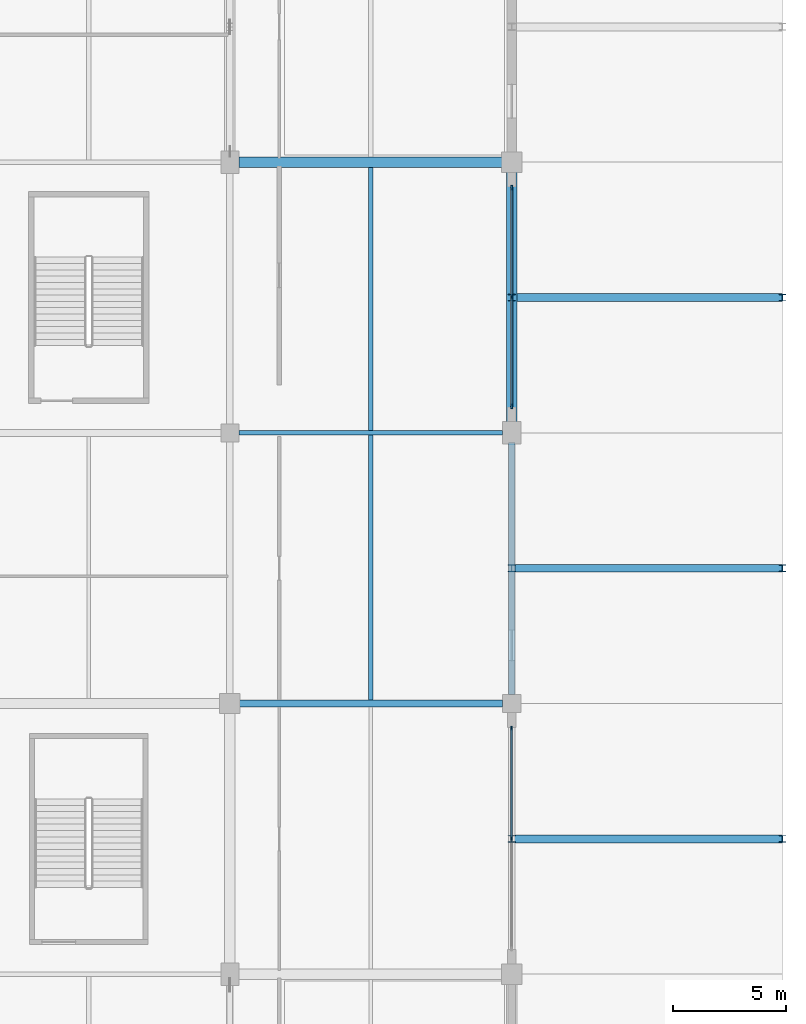
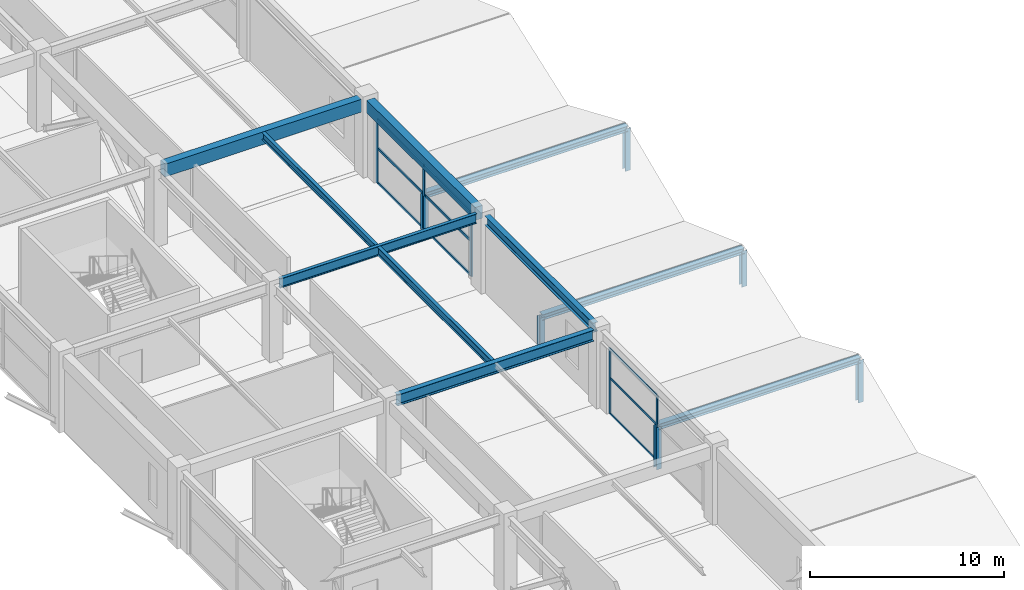
# One storey, part 42 of 116: 23 members, 7 beams, 2 elements without a shape of their own.
"""IFC4 building model written with IfcOpenShell, lengths in metres."""

from ifc_helpers import new_model, si_unit, direction, frame, origin, origin_2d, place, context, subcontext, project, spatial, rectangle, i_section, extrude, material, layer, layer_set, material_profile, profile_set, type_object, element, aggregate, save


model = new_model("IFC4")

# Units and contexts
model_context = context("Model", 3, precision=1e-05, world=origin(), true_north=direction((0.0, 1.0)))
body_context = subcontext(model_context, "Body", "Model", "MODEL_VIEW")
ifc_project = project(units=[si_unit("LENGTHUNIT", "METRE"), si_unit("AREAUNIT", "SQUARE_METRE"), si_unit("VOLUMEUNIT", "CUBIC_METRE"), si_unit("PLANEANGLEUNIT", "RADIAN"), si_unit("MASSUNIT", "GRAM", prefix="KILO")], contexts=[model_context])

# Site, building, storey
site_placement = place(None, origin())
site = spatial("IfcSite", under=ifc_project, at=site_placement, CompositionType="ELEMENT")
building_placement = place(site_placement, origin())
building = spatial("IfcBuilding", under=site, at=building_placement, Name="Kazenohara Klinker Stadium", CompositionType="ELEMENT")
storey_placement = place(building_placement, frame((0.0, 0.0, 10.199951171875)))
storey = spatial("IfcBuildingStorey", under=building, at=storey_placement, Name="L02", CompositionType="ELEMENT", Elevation=10.199951171875)

# Beams
ifc_material_1 = material(Name="Steel S355", Category="steel")
ifc_material_profile_1 = material_profile(ifc_material_1, i_section(OverallWidth=0.199951171875, OverallDepth=0.5, WebThickness=0.010009765625, FlangeThickness=0.01611328125, FilletRadius=0.012939453125, at=origin_2d()), Name="H-500x200x10x16")
ifc_profile_set_1 = profile_set([ifc_material_profile_1], Name="Steel S355")
beam_type_1 = type_object("IfcBeamType", Name="BM-JST01", PredefinedType="JOIST", material=ifc_profile_set_1)
beam_1_placement = place(storey_placement, frame((193.75, 84.14990234375, 4.570068359375), z_axis=(0.0, 1.0, 0.0), x_axis=(-1.0, 0.0, 0.0)))
element("IfcBeam", 1, at=beam_1_placement, inside=storey, type_object=beam_type_1, Name="Secondary floor joist SJ01 L02 16/H", PredefinedType="JOIST", context=body_context, shape_type="SweptSolid", body=[
    extrude(i_section(OverallWidth=0.199951171875, OverallDepth=0.5, WebThickness=0.010009765625, FlangeThickness=0.01611328125, FilletRadius=0.012939453125, at=origin_2d()), origin(), (0.0, 0.0, 1.0), 11.75),
])
ifc_material_profile_2 = material_profile(ifc_material_1, i_section(OverallWidth=0.199951171875, OverallDepth=0.449951171875, WebThickness=0.009033203125, FlangeThickness=0.013916015625, FilletRadius=0.012939453125, at=origin_2d()), Name="H-450x200x9x14")
ifc_profile_set_2 = profile_set([ifc_material_profile_2], Name="Steel S355")
beam_type_2 = type_object("IfcBeamType", Name="BM-JST02", PredefinedType="JOIST", material=ifc_profile_set_2)
beam_2_placement = place(storey_placement, frame((193.75, 96.10009765625, 4.594970703125), z_axis=(0.0, 1.0, 0.0), x_axis=(-1.0, 0.0, 0.0)))
element("IfcBeam", 2, at=beam_2_placement, inside=storey, type_object=beam_type_2, Name="Secondary floor joist SJ02 L02 16/J", PredefinedType="JOIST", context=body_context, shape_type="SweptSolid", body=[
    extrude(i_section(OverallWidth=0.199951171875, OverallDepth=0.449951171875, WebThickness=0.009033203125, FlangeThickness=0.013916015625, FilletRadius=0.012939453125, at=origin_2d()), origin(), (0.0, 0.0, 1.0), 11.6748046875),
])
ifc_material_2 = material(Name="Concrete C40/50", Category="concrete")
ifc_material_profile_3 = material_profile(ifc_material_2, rectangle(XDim=0.449951171875, YDim=0.800048828125, at=origin_2d()), Name="RC-BM-450x800")
ifc_profile_set_3 = profile_set([ifc_material_profile_3], Name="Concrete C40/50")
beam_type_3 = type_object("IfcBeamType", Name="BM-RC03", PredefinedType="BEAM", material=ifc_profile_set_3)
beam_3_placement = place(storey_placement, frame((187.89990234375, 108.0, 4.420166015625), z_axis=(1.0, 0.0, 0.0), x_axis=(0.0, 1.0, 0.0)))
element("IfcBeam", 3, at=beam_3_placement, inside=storey, type_object=beam_type_3, Name="Primary girder BG03 L02 16-17/K", PredefinedType="BEAM", context=body_context, shape_type="SweptSolid", body=[
    extrude(rectangle(XDim=0.449951171875, YDim=0.800048828125, at=origin_2d()), origin(), (0.0, 0.0, 1.0), 11.68017578125),
])
beam_4_placement = place(storey_placement, frame((200.0, 96.419921875, 4.420166015625), z_axis=(0.0, 1.0, 0.0), x_axis=(-1.0, 0.0, 0.0)))
element("IfcBeam", 4, at=beam_4_placement, inside=storey, type_object=beam_type_3, Name="Primary girder BG03 L02 17/J-K", PredefinedType="BEAM", context=body_context, shape_type="SweptSolid", body=[
    extrude(rectangle(XDim=0.449951171875, YDim=0.800048828125, at=origin_2d()), origin(), (0.0, 0.0, 1.0), 11.16015625),
])
ifc_material_profile_4 = material_profile(ifc_material_1, i_section(OverallWidth=0.300048828125, OverallDepth=0.699951171875, WebThickness=0.012939453125, FlangeThickness=0.02392578125, FilletRadius=0.02197265625, at=origin_2d()), Name="H-700x300x13x24")
ifc_profile_set_4 = profile_set([ifc_material_profile_4], Name="Steel S355")
beam_type_4 = type_object("IfcBeamType", Name="BM-ST03", PredefinedType="BEAM", material=ifc_profile_set_4)
beam_5_placement = place(storey_placement, frame((187.919921875, 84.0, 4.469970703125), z_axis=(1.0, 0.0, 0.0), x_axis=(0.0, 1.0, 0.0)))
element("IfcBeam", 5, at=beam_5_placement, inside=storey, type_object=beam_type_4, Name="Primary girder SB03 L02 16-17/H", PredefinedType="BEAM", context=body_context, shape_type="SweptSolid", body=[
    extrude(i_section(OverallWidth=0.300048828125, OverallDepth=0.699951171875, WebThickness=0.012939453125, FlangeThickness=0.02392578125, FilletRadius=0.02197265625, at=origin_2d()), origin(), (0.0, 0.0, 1.0), 11.68017578125),
])
ifc_material_profile_5 = material_profile(ifc_material_1, i_section(OverallWidth=0.199951171875, OverallDepth=0.60009765625, WebThickness=0.010986328125, FlangeThickness=0.01708984375, FilletRadius=0.012939453125, at=origin_2d()), Name="H-600x200x11x17")
ifc_profile_set_5 = profile_set([ifc_material_profile_5], Name="Steel S355")
beam_type_5 = type_object("IfcBeamType", Name="BM-ST04", PredefinedType="BEAM", material=ifc_profile_set_5)
beam_6_placement = place(storey_placement, frame((187.89990234375, 96.0, 4.52001953125), z_axis=(1.0, 0.0, 0.0), x_axis=(0.0, 1.0, 0.0)))
element("IfcBeam", 6, at=beam_6_placement, inside=storey, type_object=beam_type_5, Name="Primary girder SB04 L02 16-17/J", PredefinedType="BEAM", context=body_context, shape_type="SweptSolid", body=[
    extrude(i_section(OverallWidth=0.199951171875, OverallDepth=0.60009765625, WebThickness=0.010986328125, FlangeThickness=0.01708984375, FilletRadius=0.012939453125, at=origin_2d()), origin(), (0.0, 0.0, 1.0), 11.7001953125),
])
ifc_material_profile_6 = material_profile(ifc_material_1, i_section(OverallWidth=0.300048828125, OverallDepth=0.587890625, WebThickness=0.011962890625, FlangeThickness=0.02001953125, FilletRadius=0.02197265625, at=origin_2d()), Name="H-588x300x12x20")
ifc_profile_set_6 = profile_set([ifc_material_profile_6], Name="Steel S355")
beam_type_6 = type_object("IfcBeamType", Name="BM-ST05", PredefinedType="BEAM", material=ifc_profile_set_6)
beam_7_placement = place(storey_placement, frame((200.0, 84.39990234375, 4.526123046875), z_axis=(0.0, 1.0, 0.0), x_axis=(-1.0, 0.0, 0.0)))
element("IfcBeam", 7, at=beam_7_placement, inside=storey, type_object=beam_type_6, Name="Primary girder SB05 L02 17/H-J", PredefinedType="BEAM", context=body_context, shape_type="SweptSolid", body=[
    extrude(i_section(OverallWidth=0.300048828125, OverallDepth=0.587890625, WebThickness=0.011962890625, FlangeThickness=0.02001953125, FilletRadius=0.02197265625, at=origin_2d()), origin(), (0.0, 0.0, 1.0), 11.18017578125),
])

# Curtain wall, members
ifc_material_3 = material(Name="Anodised aluminium and triple glazing", Category="aluminium")
ifc_layer_1 = layer(ifc_material_3, 0.159912109375)
ifc_layer_set_1 = layer_set([ifc_layer_1], Name="Anodised aluminium and triple glazing")
curtain_wall_type_1 = type_object("IfcCurtainWallType", Name="CW-SYS-01", PredefinedType="USERDEFINED", material=ifc_layer_set_1)
curtain_wall_1_placement = place(storey_placement, origin())
curtain_wall_1 = element("IfcCurtainWall", 8, at=curtain_wall_1_placement, inside=storey, type_object=curtain_wall_type_1, Name="Unitised facade curtain wall CW01 L02 Y16-6", ObjectType="UNITISED CURTAIN WALL", PredefinedType="USERDEFINED")
ifc_material_4 = material(Name="Anodised aluminium 6063-T6", Category="aluminium")
ifc_material_profile_7 = material_profile(ifc_material_4, rectangle(XDim=0.06494140625, YDim=0.179931640625, at=origin_2d()), Name="ALU-MUL-65x180")
ifc_profile_set_7 = profile_set([ifc_material_profile_7], Name="Anodised aluminium 6063-T6")
member_type_1 = type_object("IfcMemberType", Name="CW-MUL-180", PredefinedType="MULLION", material=ifc_profile_set_7)
member_1_placement = place(storey_placement, frame((200.0, 78.02490234375, 0.0), z_axis=(0.0, 0.0, 1.0), x_axis=(-1.0, 0.0, 0.0)))
member_1 = element("IfcMember", 9, at=member_1_placement, type_object=member_type_1, Name="CW01 mullion 2", PredefinedType="MULLION", context=body_context, shape_type="SweptSolid", body=[
    extrude(rectangle(XDim=0.06494140625, YDim=0.179931640625, at=origin_2d()), origin(), (0.0, 0.0, 1.0), 4.1201171875),
])
member_2_placement = place(storey_placement, frame((200.0, 82.91357421875, 0.0), z_axis=(0.0, 0.0, 1.0), x_axis=(-1.0, 0.0, 0.0)))
member_2 = element("IfcMember", 10, at=member_2_placement, type_object=member_type_1, Name="CW01 mullion 3", PredefinedType="MULLION", context=body_context, shape_type="SweptSolid", body=[
    extrude(rectangle(XDim=0.06494140625, YDim=0.179931640625, at=origin_2d()), origin(), (0.0, 0.0, 1.0), 4.1201171875),
])

ifc_layer_2 = layer(ifc_material_3, 0.179931640625)
ifc_layer_set_2 = layer_set([ifc_layer_2], Name="Anodised aluminium and triple glazing")
curtain_wall_type_2 = type_object("IfcCurtainWallType", Name="CW-SYS-02", PredefinedType="USERDEFINED", material=ifc_layer_set_2)
curtain_wall_2_placement = place(storey_placement, origin())
curtain_wall_2 = element("IfcCurtainWall", 11, at=curtain_wall_2_placement, inside=storey, type_object=curtain_wall_type_2, Name="Unitised facade curtain wall CW02 L02 Y16-8", ObjectType="UNITISED CURTAIN WALL", PredefinedType="USERDEFINED")
ifc_material_profile_8 = material_profile(ifc_material_4, rectangle(XDim=0.074951171875, YDim=0.219970703125, at=origin_2d()), Name="ALU-MUL-75x220")
ifc_profile_set_8 = profile_set([ifc_material_profile_8], Name="Anodised aluminium 6063-T6")
member_type_2 = type_object("IfcMemberType", Name="CW-MUL-220", PredefinedType="MULLION", material=ifc_profile_set_8)
member_3_placement = place(storey_placement, frame((200.0, 97.19140625, 0.0), z_axis=(0.0, 0.0, 1.0), x_axis=(-1.0, 0.0, 0.0)))
member_3 = element("IfcMember", 12, at=member_3_placement, type_object=member_type_2, Name="CW02 mullion 1", PredefinedType="MULLION", context=body_context, shape_type="SweptSolid", body=[
    extrude(rectangle(XDim=0.074951171875, YDim=0.219970703125, at=origin_2d()), origin(), (0.0, 0.0, 1.0), 4.02001953125),
])
member_4_placement = place(storey_placement, frame((200.0, 102.02490234375, 0.0), z_axis=(0.0, 0.0, 1.0), x_axis=(-1.0, 0.0, 0.0)))
member_4 = element("IfcMember", 13, at=member_4_placement, type_object=member_type_2, Name="CW02 mullion 2", PredefinedType="MULLION", context=body_context, shape_type="SweptSolid", body=[
    extrude(rectangle(XDim=0.074951171875, YDim=0.219970703125, at=origin_2d()), origin(), (0.0, 0.0, 1.0), 4.02001953125),
])
member_5_placement = place(storey_placement, frame((200.0, 106.8583984375, 0.0), z_axis=(0.0, 0.0, 1.0), x_axis=(-1.0, 0.0, 0.0)))
member_5 = element("IfcMember", 14, at=member_5_placement, type_object=member_type_2, Name="CW02 mullion 3", PredefinedType="MULLION", context=body_context, shape_type="SweptSolid", body=[
    extrude(rectangle(XDim=0.074951171875, YDim=0.219970703125, at=origin_2d()), origin(), (0.0, 0.0, 1.0), 4.02001953125),
])

# Member
ifc_material_profile_9 = material_profile(ifc_material_4, rectangle(XDim=0.06494140625, YDim=0.139892578125, at=origin_2d()), Name="ALU-TRN-65x140")
ifc_profile_set_9 = profile_set([ifc_material_profile_9], Name="Anodised aluminium 6063-T6")
member_type_3 = type_object("IfcMemberType", Name="CW-TRN-140", PredefinedType="USERDEFINED", material=ifc_profile_set_9)
member_6_placement = place(storey_placement, frame((200.0, 78.0576171875, 0.032470703125), z_axis=(0.0, 1.0, 0.0), x_axis=(-1.0, 0.0, 0.0)))
member_6 = element("IfcMember", 15, at=member_6_placement, type_object=member_type_3, Name="CW01 transom 2.1", ObjectType="TRANSOM", PredefinedType="USERDEFINED", context=body_context, shape_type="SweptSolid", body=[
    extrude(rectangle(XDim=0.06494140625, YDim=0.139892578125, at=origin_2d()), origin(), (0.0, 0.0, 1.0), 4.823486328125),
])

member_7_placement = place(storey_placement, frame((200.0, 78.0576171875, 2.26611328125), z_axis=(0.0, 1.0, 0.0), x_axis=(-1.0, 0.0, 0.0)))
member_7 = element("IfcMember", 16, at=member_7_placement, type_object=member_type_3, Name="CW01 transom 2.2", ObjectType="TRANSOM", PredefinedType="USERDEFINED", context=body_context, shape_type="SweptSolid", body=[
    extrude(rectangle(XDim=0.06494140625, YDim=0.139892578125, at=origin_2d()), origin(), (0.0, 0.0, 1.0), 4.823486328125),
])

member_8_placement = place(storey_placement, frame((200.0, 78.0576171875, 4.087646484375), z_axis=(0.0, 1.0, 0.0), x_axis=(-1.0, 0.0, 0.0)))
member_8 = element("IfcMember", 17, at=member_8_placement, type_object=member_type_3, Name="CW01 transom 2.3", ObjectType="TRANSOM", PredefinedType="USERDEFINED", context=body_context, shape_type="SweptSolid", body=[
    extrude(rectangle(XDim=0.06494140625, YDim=0.139892578125, at=origin_2d()), origin(), (0.0, 0.0, 1.0), 4.823486328125),
])

aggregate(curtain_wall_1, [member_1, member_2, member_6, member_7, member_8])

ifc_material_profile_10 = material_profile(ifc_material_4, rectangle(XDim=0.074951171875, YDim=0.159912109375, at=origin_2d()), Name="ALU-TRN-75x160")
ifc_profile_set_10 = profile_set([ifc_material_profile_10], Name="Anodised aluminium 6063-T6")
member_type_4 = type_object("IfcMemberType", Name="CW-TRN-160", PredefinedType="USERDEFINED", material=ifc_profile_set_10)
member_9_placement = place(storey_placement, frame((200.0, 97.22900390625, 0.03759765625), z_axis=(0.0, 1.0, 0.0), x_axis=(-1.0, 0.0, 0.0)))
member_9 = element("IfcMember", 18, at=member_9_placement, type_object=member_type_4, Name="CW02 transom 1.1", ObjectType="TRANSOM", PredefinedType="USERDEFINED", context=body_context, shape_type="SweptSolid", body=[
    extrude(rectangle(XDim=0.074951171875, YDim=0.159912109375, at=origin_2d()), origin(), (0.0, 0.0, 1.0), 4.758544921875),
])

member_10_placement = place(storey_placement, frame((200.0, 97.22900390625, 2.2109375), z_axis=(0.0, 1.0, 0.0), x_axis=(-1.0, 0.0, 0.0)))
member_10 = element("IfcMember", 19, at=member_10_placement, type_object=member_type_4, Name="CW02 transom 1.2", ObjectType="TRANSOM", PredefinedType="USERDEFINED", context=body_context, shape_type="SweptSolid", body=[
    extrude(rectangle(XDim=0.074951171875, YDim=0.159912109375, at=origin_2d()), origin(), (0.0, 0.0, 1.0), 4.758544921875),
])

member_11_placement = place(storey_placement, frame((200.0, 97.22900390625, 3.982666015625), z_axis=(0.0, 1.0, 0.0), x_axis=(-1.0, 0.0, 0.0)))
member_11 = element("IfcMember", 20, at=member_11_placement, type_object=member_type_4, Name="CW02 transom 1.3", ObjectType="TRANSOM", PredefinedType="USERDEFINED", context=body_context, shape_type="SweptSolid", body=[
    extrude(rectangle(XDim=0.074951171875, YDim=0.159912109375, at=origin_2d()), origin(), (0.0, 0.0, 1.0), 4.758544921875),
])

member_12_placement = place(storey_placement, frame((200.0, 102.0625, 0.03759765625), z_axis=(0.0, 1.0, 0.0), x_axis=(-1.0, 0.0, 0.0)))
member_12 = element("IfcMember", 21, at=member_12_placement, type_object=member_type_4, Name="CW02 transom 2.1", ObjectType="TRANSOM", PredefinedType="USERDEFINED", context=body_context, shape_type="SweptSolid", body=[
    extrude(rectangle(XDim=0.074951171875, YDim=0.159912109375, at=origin_2d()), origin(), (0.0, 0.0, 1.0), 4.758544921875),
])

member_13_placement = place(storey_placement, frame((200.0, 102.0625, 2.2109375), z_axis=(0.0, 1.0, 0.0), x_axis=(-1.0, 0.0, 0.0)))
member_13 = element("IfcMember", 22, at=member_13_placement, type_object=member_type_4, Name="CW02 transom 2.2", ObjectType="TRANSOM", PredefinedType="USERDEFINED", context=body_context, shape_type="SweptSolid", body=[
    extrude(rectangle(XDim=0.074951171875, YDim=0.159912109375, at=origin_2d()), origin(), (0.0, 0.0, 1.0), 4.758544921875),
])

member_14_placement = place(storey_placement, frame((200.0, 102.0625, 3.982666015625), z_axis=(0.0, 1.0, 0.0), x_axis=(-1.0, 0.0, 0.0)))
member_14 = element("IfcMember", 23, at=member_14_placement, type_object=member_type_4, Name="CW02 transom 2.3", ObjectType="TRANSOM", PredefinedType="USERDEFINED", context=body_context, shape_type="SweptSolid", body=[
    extrude(rectangle(XDim=0.074951171875, YDim=0.159912109375, at=origin_2d()), origin(), (0.0, 0.0, 1.0), 4.758544921875),
])

aggregate(curtain_wall_2, [member_3, member_4, member_5, member_9, member_10, member_11, member_12, member_13, member_14])

# Members
ifc_material_profile_11 = material_profile(ifc_material_1, i_section(OverallWidth=0.35009765625, OverallDepth=0.35009765625, WebThickness=0.011962890625, FlangeThickness=0.01904296875, FilletRadius=0.012939453125, at=origin_2d()), Name="H-350x350x12x19")
ifc_profile_set_11 = profile_set([ifc_material_profile_11], Name="Steel S355")
member_type_5 = type_object("IfcMemberType", Name="MEM-CHD02", PredefinedType="CHORD", material=ifc_profile_set_11)
for number, where, z_axis, x_axis, name in (
    (24, (200.0, 78.0, 2.22998046875), (1.0, 0.0, 0.0), (0.0, 1.0, 0.0), "Stepped pavilion gable ridge beam L02 17/G"),
    (25, (200.0, 90.0, 1.830078125), (1.0, 0.0, 0.0), (0.0, 1.0, 0.0), "Stepped pavilion gable ridge beam L02 17/H"),
    (26, (200.0, 102.0, 2.22998046875), (1.0, 0.0, 0.0), (0.0, 1.0, 0.0), "Stepped pavilion gable ridge beam L02 17/J"),
):
    element("IfcMember", number, at=place(storey_placement, frame(where, z_axis=z_axis, x_axis=x_axis)), inside=storey, type_object=member_type_5, Name=name, PredefinedType="CHORD", context=body_context, shape_type="SweptSolid", body=[
        extrude(i_section(OverallWidth=0.35009765625, OverallDepth=0.35009765625, WebThickness=0.011962890625, FlangeThickness=0.01904296875, FilletRadius=0.012939453125, at=origin_2d()), origin(), (0.0, 0.0, 1.0), 12.0),
    ])
ifc_material_profile_12 = material_profile(ifc_material_1, i_section(OverallWidth=0.300048828125, OverallDepth=0.300048828125, WebThickness=0.010009765625, FlangeThickness=0.014892578125, FilletRadius=0.012939453125, at=origin_2d()), Name="H-300x300x10x15")
ifc_profile_set_12 = profile_set([ifc_material_profile_12], Name="Steel S355")
member_type_6 = type_object("IfcMemberType", Name="MEM-STR01", PredefinedType="STRUT", material=ifc_profile_set_12)
member_15_placement = place(storey_placement, frame((200.0, 78.0, -0.429931640625), z_axis=(0.0, 0.0, 1.0), x_axis=(1.0, 0.0, 0.0)))
element("IfcMember", 27, at=member_15_placement, inside=storey, type_object=member_type_6, Name="Stepped pavilion gable king-post L02 17/G W", PredefinedType="STRUT", context=body_context, shape_type="SweptSolid", body=[
    extrude(i_section(OverallWidth=0.300048828125, OverallDepth=0.300048828125, WebThickness=0.010009765625, FlangeThickness=0.014892578125, FilletRadius=0.012939453125, at=origin_2d()), origin(), (0.0, 0.0, 1.0), 2.659912109375),
])
member_16_placement = place(storey_placement, frame((200.0, 90.0, -0.429931640625), z_axis=(0.0, 0.0, 1.0), x_axis=(1.0, 0.0, 0.0)))
element("IfcMember", 28, at=member_16_placement, inside=storey, type_object=member_type_6, Name="Stepped pavilion gable king-post L02 17/H W", PredefinedType="STRUT", context=body_context, shape_type="SweptSolid", body=[
    extrude(i_section(OverallWidth=0.300048828125, OverallDepth=0.300048828125, WebThickness=0.010009765625, FlangeThickness=0.014892578125, FilletRadius=0.012939453125, at=origin_2d()), origin(), (0.0, 0.0, 1.0), 2.260009765625),
])
for number, where, z_axis, x_axis, name in (
    (29, (200.0, 102.0, -0.429931640625), (0.0, 0.0, 1.0), (1.0, 0.0, 0.0), "Stepped pavilion gable king-post L02 17/J W"),
    (30, (212.0, 78.0, -0.429931640625), (0.0, 0.0, 1.0), (1.0, 0.0, 0.0), "Stepped pavilion gable king-post L02 17/G E"),
):
    element("IfcMember", number, at=place(storey_placement, frame(where, z_axis=z_axis, x_axis=x_axis)), inside=storey, type_object=member_type_6, Name=name, PredefinedType="STRUT", context=body_context, shape_type="SweptSolid", body=[
        extrude(i_section(OverallWidth=0.300048828125, OverallDepth=0.300048828125, WebThickness=0.010009765625, FlangeThickness=0.014892578125, FilletRadius=0.012939453125, at=origin_2d()), origin(), (0.0, 0.0, 1.0), 2.659912109375),
    ])
member_17_placement = place(storey_placement, frame((212.0, 90.0, -0.429931640625), z_axis=(0.0, 0.0, 1.0), x_axis=(1.0, 0.0, 0.0)))
element("IfcMember", 31, at=member_17_placement, inside=storey, type_object=member_type_6, Name="Stepped pavilion gable king-post L02 17/H E", PredefinedType="STRUT", context=body_context, shape_type="SweptSolid", body=[
    extrude(i_section(OverallWidth=0.300048828125, OverallDepth=0.300048828125, WebThickness=0.010009765625, FlangeThickness=0.014892578125, FilletRadius=0.012939453125, at=origin_2d()), origin(), (0.0, 0.0, 1.0), 2.260009765625),
])
member_18_placement = place(storey_placement, frame((212.0, 102.0, -0.429931640625), z_axis=(0.0, 0.0, 1.0), x_axis=(1.0, 0.0, 0.0)))
element("IfcMember", 32, at=member_18_placement, inside=storey, type_object=member_type_6, Name="Stepped pavilion gable king-post L02 17/J E", PredefinedType="STRUT", context=body_context, shape_type="SweptSolid", body=[
    extrude(i_section(OverallWidth=0.300048828125, OverallDepth=0.300048828125, WebThickness=0.010009765625, FlangeThickness=0.014892578125, FilletRadius=0.012939453125, at=origin_2d()), origin(), (0.0, 0.0, 1.0), 2.659912109375),
])

save(model, "model.ifc")
